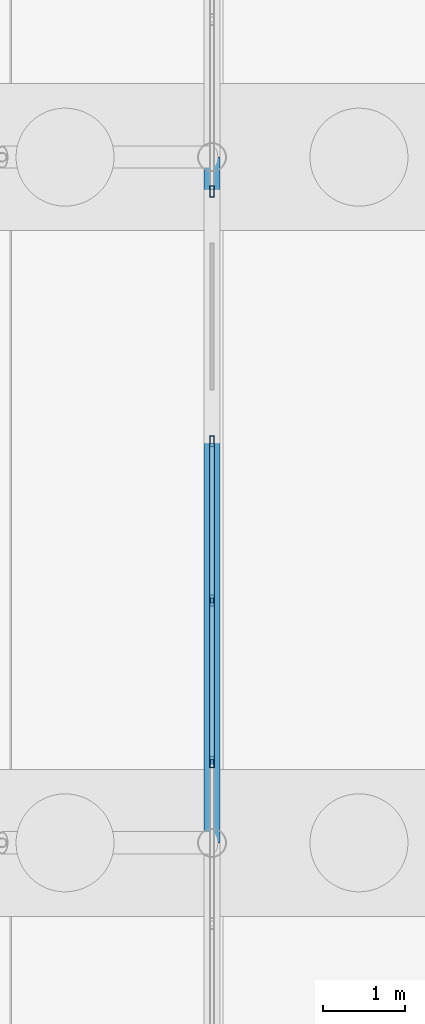
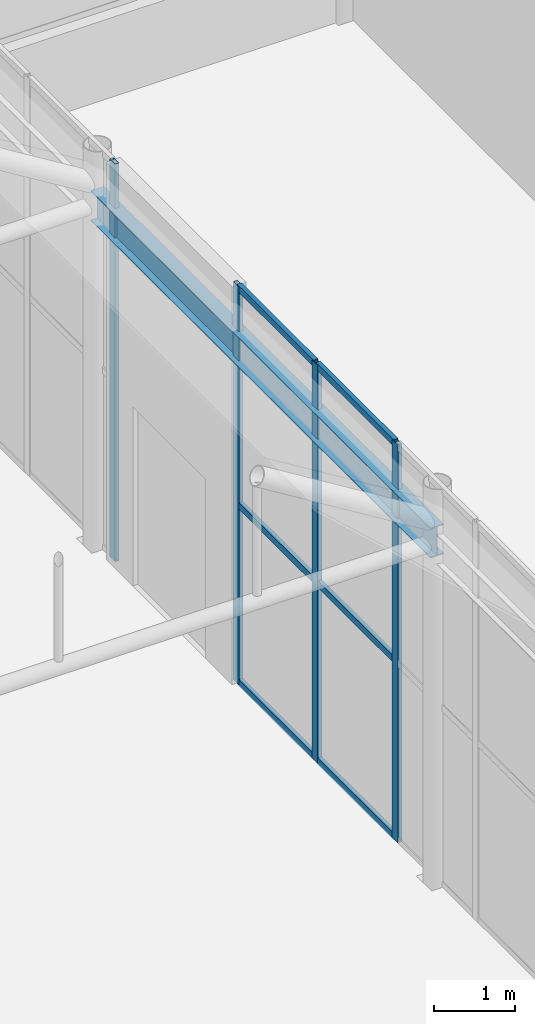
# One storey, part 131 of 212: 10 members, 1 beam, 2 elements without a shape of their own.
"""IFC4 building model written with IfcOpenShell, lengths in metres."""

from ifc_helpers import new_model, si_unit, direction, frame, origin, origin_2d, place, context, subcontext, project, spatial, hollow_rectangle, i_section, extrude, material, material_profile, profile_set, type_object, element, aggregate, save


model = new_model("IFC4")

# Units and contexts
model_context = context("Model", 3, precision=1e-05, world=origin(), true_north=direction((0.0, 1.0)))
body_context = subcontext(model_context, "Body", "Model", "MODEL_VIEW")
ifc_project = project(units=[si_unit("LENGTHUNIT", "METRE"), si_unit("AREAUNIT", "SQUARE_METRE"), si_unit("VOLUMEUNIT", "CUBIC_METRE"), si_unit("PLANEANGLEUNIT", "RADIAN"), si_unit("MASSUNIT", "GRAM", prefix="KILO")], contexts=[model_context])

# Site, building, storey
site_placement = place(None, origin())
site = spatial("IfcSite", under=ifc_project, at=site_placement, CompositionType="ELEMENT")
building_placement = place(site_placement, origin())
building = spatial("IfcBuilding", under=site, at=building_placement, Name="Catenary Quay Ferry Terminal", CompositionType="ELEMENT")
storey_placement = place(building_placement, origin())
storey = spatial("IfcBuildingStorey", under=building, at=storey_placement, Name="L00", CompositionType="ELEMENT", Elevation=0.0)

# Beam
ifc_material_1 = material(Name="Steel S355", Category="steel")
ifc_material_profile_1 = material_profile(ifc_material_1, i_section(OverallWidth=0.18994140625, OverallDepth=0.453369140625, WebThickness=0.008544921875, FlangeThickness=0.0126953125, at=origin_2d()), Name="UB 457x191x67")
ifc_profile_set_1 = profile_set([ifc_material_profile_1], Name="Steel S355")
beam_type = type_object("IfcBeamType", Name="B1 UB 457x191x67", PredefinedType="BEAM", material=ifc_profile_set_1)
beam_placement = place(storey_placement, frame((25.199951171875, 126.0, 5.10009765625), z_axis=(0.0, 1.0, 0.0), x_axis=(-1.0, 0.0, 0.0)))
element("IfcBeam", 1, at=beam_placement, inside=storey, type_object=beam_type, Name="Eaves beam B-FD8", PredefinedType="BEAM", context=body_context, shape_type="SweptSolid", body=[
    extrude(i_section(OverallWidth=0.18994140625, OverallDepth=0.453369140625, WebThickness=0.008544921875, FlangeThickness=0.0126953125, at=origin_2d()), origin(), (0.0, 0.0, 1.0), 8.39990234375),
])

# Curtain wall, members
ifc_material_2 = material(Name="Aluminium and glass", Category="aluminium")
curtain_wall_type = type_object("IfcCurtainWallType", Name="CWG", PredefinedType="NOTDEFINED", material=ifc_material_2)
curtain_wall_1_placement = place(storey_placement, origin())
curtain_wall_1 = element("IfcCurtainWall", 2, at=curtain_wall_1_placement, inside=storey, type_object=curtain_wall_type, Name="Gable departure hall curtain wall CW14", PredefinedType="NOTDEFINED")
ifc_material_3 = material(Name="Aluminium", Category="aluminium")
ifc_material_profile_2 = material_profile(ifc_material_3, hollow_rectangle(XDim=0.06005859375, YDim=0.139892578125, WallThickness=0.006103515625, at=origin_2d()), Name="MU2")
ifc_profile_set_2 = profile_set([ifc_material_profile_2], Name="Aluminium")
member_type_1 = type_object("IfcMemberType", Name="MU2", PredefinedType="MULLION", material=ifc_profile_set_2)
member_1_placement = place(storey_placement, frame((25.199951171875, 126.989990234375, 0.0), z_axis=(0.0, 0.0, 1.0), x_axis=(-1.0, 0.0, 0.0)))
member_1 = element("IfcMember", 3, at=member_1_placement, type_object=member_type_1, Name="CW14 mullion 4", PredefinedType="MULLION", context=body_context, shape_type="SweptSolid", body=[
    extrude(hollow_rectangle(XDim=0.06005859375, YDim=0.139892578125, WallThickness=0.006103515625, at=origin_2d()), origin(), (0.0, 0.0, 1.0), 6.0),
])
member_2_placement = place(storey_placement, frame((25.199951171875, 128.969970703125, 0.0), z_axis=(0.0, 0.0, 1.0), x_axis=(-1.0, 0.0, 0.0)))
member_2 = element("IfcMember", 4, at=member_2_placement, type_object=member_type_1, Name="CW14 mullion 5", PredefinedType="MULLION", context=body_context, shape_type="SweptSolid", body=[
    extrude(hollow_rectangle(XDim=0.06005859375, YDim=0.139892578125, WallThickness=0.006103515625, at=origin_2d()), origin(), (0.0, 0.0, 1.0), 6.0),
])
member_3_placement = place(storey_placement, frame((25.199951171875, 130.919921875, 0.0), z_axis=(0.0, 0.0, 1.0), x_axis=(-1.0, 0.0, 0.0)))
member_3 = element("IfcMember", 5, at=member_3_placement, type_object=member_type_1, Name="CW14 mullion 6", PredefinedType="MULLION", context=body_context, shape_type="SweptSolid", body=[
    extrude(hollow_rectangle(XDim=0.06005859375, YDim=0.139892578125, WallThickness=0.006103515625, at=origin_2d()), origin(), (0.0, 0.0, 1.0), 6.0),
])

# Curtain wall, member
curtain_wall_2_placement = place(storey_placement, origin())
curtain_wall_2 = element("IfcCurtainWall", 6, at=curtain_wall_2_placement, inside=storey, type_object=curtain_wall_type, Name="Gable departure hall curtain wall CW15", PredefinedType="NOTDEFINED")
member_4_placement = place(storey_placement, frame((25.199951171875, 133.97998046875, 0.0), z_axis=(0.0, 0.0, 1.0), x_axis=(-1.0, 0.0, 0.0)))
member_4 = element("IfcMember", 7, at=member_4_placement, type_object=member_type_1, Name="CW15 mullion 1", PredefinedType="MULLION", context=body_context, shape_type="SweptSolid", body=[
    extrude(hollow_rectangle(XDim=0.06005859375, YDim=0.139892578125, WallThickness=0.006103515625, at=origin_2d()), origin(), (0.0, 0.0, 1.0), 6.0),
])
aggregate(curtain_wall_2, [member_4])

# Member
ifc_material_4 = material(Name="Aluminium", Category="aluminium")
ifc_material_profile_3 = material_profile(ifc_material_4, hollow_rectangle(XDim=0.06005859375, YDim=0.10009765625, WallThickness=0.0048828125, at=origin_2d()), Name="TR2")
ifc_profile_set_3 = profile_set([ifc_material_profile_3], Name="Aluminium")
member_type_2 = type_object("IfcMemberType", Name="TR2", PredefinedType="USERDEFINED", material=ifc_profile_set_3)
member_5_placement = place(storey_placement, frame((25.199951171875, 127.02001953125, 0.030029296875), z_axis=(0.0, 1.0, 0.0), x_axis=(-1.0, 0.0, 0.0)))
member_5 = element("IfcMember", 8, at=member_5_placement, type_object=member_type_2, Name="CW14 transom 4.1", ObjectType="TRANSOM", PredefinedType="USERDEFINED", context=body_context, shape_type="SweptSolid", body=[
    extrude(hollow_rectangle(XDim=0.06005859375, YDim=0.10009765625, WallThickness=0.0048828125, at=origin_2d()), origin(), (0.0, 0.0, 1.0), 1.919921875),
])

member_6_placement = place(storey_placement, frame((25.199951171875, 127.02001953125, 2.699951171875), z_axis=(0.0, 1.0, 0.0), x_axis=(-1.0, 0.0, 0.0)))
member_6 = element("IfcMember", 9, at=member_6_placement, type_object=member_type_2, Name="CW14 transom 4.2", ObjectType="TRANSOM", PredefinedType="USERDEFINED", context=body_context, shape_type="SweptSolid", body=[
    extrude(hollow_rectangle(XDim=0.06005859375, YDim=0.10009765625, WallThickness=0.0048828125, at=origin_2d()), origin(), (0.0, 0.0, 1.0), 1.919921875),
])

member_7_placement = place(storey_placement, frame((25.199951171875, 127.02001953125, 5.969970703125), z_axis=(0.0, 1.0, 0.0), x_axis=(-1.0, 0.0, 0.0)))
member_7 = element("IfcMember", 10, at=member_7_placement, type_object=member_type_2, Name="CW14 transom 4.3", ObjectType="TRANSOM", PredefinedType="USERDEFINED", context=body_context, shape_type="SweptSolid", body=[
    extrude(hollow_rectangle(XDim=0.06005859375, YDim=0.10009765625, WallThickness=0.0048828125, at=origin_2d()), origin(), (0.0, 0.0, 1.0), 1.919921875),
])

member_8_placement = place(storey_placement, frame((25.199951171875, 129.0, 0.030029296875), z_axis=(0.0, 1.0, 0.0), x_axis=(-1.0, 0.0, 0.0)))
member_8 = element("IfcMember", 11, at=member_8_placement, type_object=member_type_2, Name="CW14 transom 5.1", ObjectType="TRANSOM", PredefinedType="USERDEFINED", context=body_context, shape_type="SweptSolid", body=[
    extrude(hollow_rectangle(XDim=0.06005859375, YDim=0.10009765625, WallThickness=0.0048828125, at=origin_2d()), origin(), (0.0, 0.0, 1.0), 1.889892578125),
])

member_9_placement = place(storey_placement, frame((25.199951171875, 129.0, 2.699951171875), z_axis=(0.0, 1.0, 0.0), x_axis=(-1.0, 0.0, 0.0)))
member_9 = element("IfcMember", 12, at=member_9_placement, type_object=member_type_2, Name="CW14 transom 5.2", ObjectType="TRANSOM", PredefinedType="USERDEFINED", context=body_context, shape_type="SweptSolid", body=[
    extrude(hollow_rectangle(XDim=0.06005859375, YDim=0.10009765625, WallThickness=0.0048828125, at=origin_2d()), origin(), (0.0, 0.0, 1.0), 1.889892578125),
])

member_10_placement = place(storey_placement, frame((25.199951171875, 129.0, 5.969970703125), z_axis=(0.0, 1.0, 0.0), x_axis=(-1.0, 0.0, 0.0)))
member_10 = element("IfcMember", 13, at=member_10_placement, type_object=member_type_2, Name="CW14 transom 5.3", ObjectType="TRANSOM", PredefinedType="USERDEFINED", context=body_context, shape_type="SweptSolid", body=[
    extrude(hollow_rectangle(XDim=0.06005859375, YDim=0.10009765625, WallThickness=0.0048828125, at=origin_2d()), origin(), (0.0, 0.0, 1.0), 1.889892578125),
])

aggregate(curtain_wall_1, [member_1, member_2, member_3, member_5, member_6, member_7, member_8, member_9, member_10])

save(model, "model.ifc")
